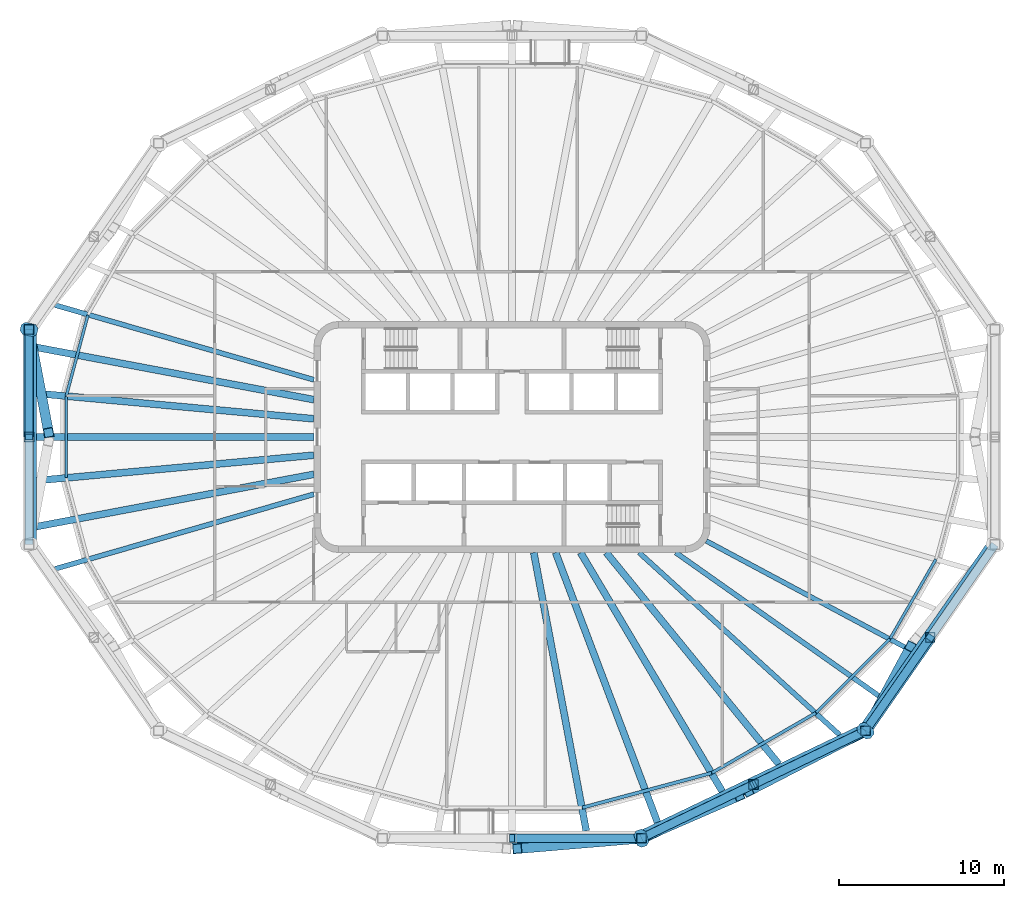
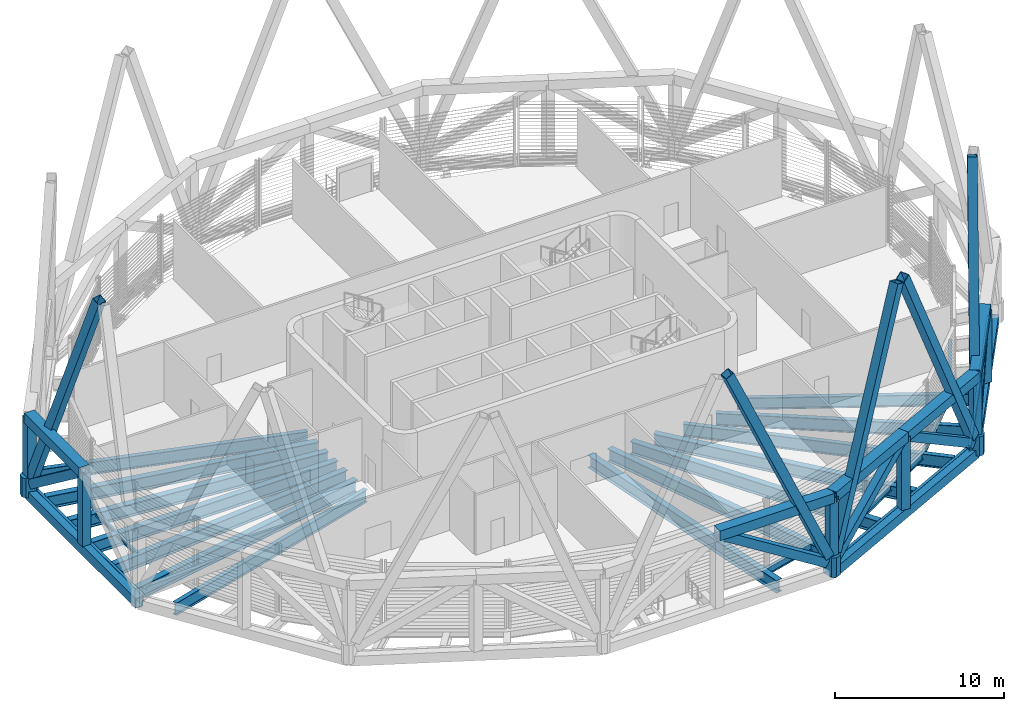
# One storey, part 2 of 16: 26 beams, 24 members.
"""IFC4 building model written with IfcOpenShell, lengths in metres."""

from ifc_helpers import new_model, si_unit, direction, frame, origin, origin_2d, place, context, subcontext, project, spatial, polyline, hollow_rectangle, i_section, outline, extrude, material, material_profile, profile_set, type_object, element, save


model = new_model("IFC4")

# Units and contexts
model_context = context("Model", 3, precision=1e-05, world=origin(), true_north=direction((0.0, 1.0)))
body_context = subcontext(model_context, "Body", "Model", "MODEL_VIEW")
ifc_project = project(units=[si_unit("LENGTHUNIT", "METRE"), si_unit("AREAUNIT", "SQUARE_METRE"), si_unit("VOLUMEUNIT", "CUBIC_METRE"), si_unit("PLANEANGLEUNIT", "RADIAN"), si_unit("MASSUNIT", "GRAM", prefix="KILO")], contexts=[model_context])

# Site, building, storey
site_placement = place(None, origin())
site = spatial("IfcSite", under=ifc_project, at=site_placement, CompositionType="ELEMENT")
building_placement = place(site_placement, origin())
building = spatial("IfcBuilding", under=site, at=building_placement, Name="Sahrelin Media Tower", CompositionType="ELEMENT")
storey_placement = place(building_placement, frame((0.0, 0.0, 299.0)))
storey = spatial("IfcBuildingStorey", under=building, at=storey_placement, Name="L66", CompositionType="ELEMENT", Elevation=299.0)

# Members
ifc_material_1 = material(Name="Steel S460", Category="steel")
ifc_material_profile_1 = material_profile(ifc_material_1, hollow_rectangle(XDim=0.699951171875, YDim=0.699951171875, WallThickness=0.044921875, at=origin_2d()), Name="Belt truss chord BC")
ifc_profile_set_1 = profile_set([ifc_material_profile_1], Name="Steel S460")
member_type_1 = type_object("IfcMemberType", Name="Belt truss chord BC", PredefinedType="CHORD", material=ifc_profile_set_1)
member_1_placement = place(storey_placement, frame((-29.249755859375, 6.511962890625, 4.89990234375), z_axis=(0.0, -1.0, 0.0), x_axis=(1.0, 0.0, 0.0)))
element("IfcMember", 1, at=member_1_placement, inside=storey, type_object=member_type_1, Name="Belt truss member BT15-05-T1", PredefinedType="CHORD", context=body_context, shape_type="SweptSolid", body=[
    extrude(hollow_rectangle(XDim=0.699951171875, YDim=0.699951171875, WallThickness=0.044921875, at=origin_2d()), origin(), (0.0, 0.0, 1.0), 6.511962890625),
])
member_2_placement = place(storey_placement, frame((0.0, -24.30322265625, 4.89990234375), z_axis=(1.0, 0.0, 0.0), x_axis=(0.0, 1.0, 0.0)))
element("IfcMember", 2, at=member_2_placement, inside=storey, type_object=member_type_1, Name="Belt truss member BT15-08-T2", PredefinedType="CHORD", context=body_context, shape_type="SweptSolid", body=[
    extrude(hollow_rectangle(XDim=0.699951171875, YDim=0.699951171875, WallThickness=0.044921875, at=origin_2d()), origin(), (0.0, 0.0, 1.0), 7.83740234375),
])
member_3_placement = place(storey_placement, frame((7.83740234375, -24.30322265625, 4.89990234375), z_axis=(0.901623739504, 0.432521250765, 0.0), x_axis=(-0.432521250765, 0.901623739504, 0.0)))
element("IfcMember", 3, at=member_3_placement, inside=storey, type_object=member_type_1, Name="Belt truss member BT15-09-T1", PredefinedType="CHORD", context=body_context, shape_type="SweptSolid", body=[
    extrude(hollow_rectangle(XDim=0.699951171875, YDim=0.699951171875, WallThickness=0.044921875, at=origin_2d()), origin(), (0.0, 0.0, 1.0), 7.528076171875),
])
member_4_placement = place(storey_placement, frame((14.625, -21.047119140625, 4.89990234375), z_axis=(0.901630319663, 0.432507533651, 0.0), x_axis=(-0.432507533651, 0.901630319663, 0.0)))
element("IfcMember", 4, at=member_4_placement, inside=storey, type_object=member_type_1, Name="Belt truss member BT15-09-T2", PredefinedType="CHORD", context=body_context, shape_type="SweptSolid", body=[
    extrude(hollow_rectangle(XDim=0.699951171875, YDim=0.699951171875, WallThickness=0.044921875, at=origin_2d()), origin(), (0.0, 0.0, 1.0), 7.52783203125),
])
member_5_placement = place(storey_placement, frame((21.412353515625, -17.791259765625, 4.89990234375), z_axis=(0.57061963931, 0.821214483088, 0.0), x_axis=(-0.821214483088, 0.57061963931, 0.0)))
element("IfcMember", 5, at=member_5_placement, inside=storey, type_object=member_type_1, Name="Belt truss member BT15-10-T1", PredefinedType="CHORD", context=body_context, shape_type="SweptSolid", body=[
    extrude(hollow_rectangle(XDim=0.699951171875, YDim=0.699951171875, WallThickness=0.044921875, at=origin_2d()), origin(), (0.0, 0.0, 1.0), 6.867431640625),
])
ifc_material_profile_2 = material_profile(ifc_material_1, hollow_rectangle(XDim=0.5, YDim=0.60009765625, WallThickness=0.030029296875, at=origin_2d()), Name="Belt truss diagonal BD")
ifc_profile_set_2 = profile_set([ifc_material_profile_2], Name="Steel S460")
member_type_2 = type_object("IfcMemberType", Name="Belt truss diagonal BD", PredefinedType="BRACE", material=ifc_profile_set_2)
member_6_placement = place(storey_placement, frame((-29.249755859375, 6.127685546875, 0.2890625), z_axis=(0.0, -0.799055387319, 0.601257422404), x_axis=(1.0, 0.0, 0.0)))
element("IfcMember", 6, at=member_6_placement, inside=storey, type_object=member_type_2, Name="Belt truss member BT15-05-X1", PredefinedType="BRACE", context=body_context, shape_type="SweptSolid", body=[
    extrude(hollow_rectangle(XDim=0.5, YDim=0.60009765625, WallThickness=0.030029296875, at=origin_2d()), origin(), (0.0, 0.0, 1.0), 7.668701171875),
])
member_7_placement = place(storey_placement, frame((7.443359375, -24.30322265625, 0.246337890625), z_axis=(-0.847923297656, 0.0, 0.530118931272), x_axis=(0.0, -1.0, 0.0)))
element("IfcMember", 7, at=member_7_placement, inside=storey, type_object=member_type_2, Name="Belt truss member BT15-08-X2", PredefinedType="BRACE", context=body_context, shape_type="SweptSolid", body=[
    extrude(hollow_rectangle(XDim=0.5, YDim=0.60009765625, WallThickness=0.030029296875, at=origin_2d()), origin(), (0.0, 0.0, 1.0), 8.7783203125),
])
member_8_placement = place(storey_placement, frame((8.1787109375, -24.139404296875, 0.246337890625), z_axis=(0.755659301313, 0.362489801183, 0.545509087347), x_axis=(-0.432511250119, 0.901628536882, 0.0)))
element("IfcMember", 8, at=member_8_placement, inside=storey, type_object=member_type_2, Name="Belt truss member BT15-09-X1", PredefinedType="BRACE", context=body_context, shape_type="SweptSolid", body=[
    extrude(hollow_rectangle(XDim=0.5, YDim=0.60009765625, WallThickness=0.030029296875, at=origin_2d()), origin(), (0.0, 0.0, 1.0), 8.53076171875),
])
member_9_placement = place(storey_placement, frame((21.040283203125, -17.9697265625, 0.2685546875), z_axis=(-0.755651842776, -0.362483977554, 0.545523288711), x_axis=(0.432509071773, -0.901629581832, 0.0)))
element("IfcMember", 9, at=member_9_placement, inside=storey, type_object=member_type_2, Name="Belt truss member BT15-09-X2", PredefinedType="BRACE", context=body_context, shape_type="SweptSolid", body=[
    extrude(hollow_rectangle(XDim=0.5, YDim=0.60009765625, WallThickness=0.030029296875, at=origin_2d()), origin(), (0.0, 0.0, 1.0), 8.48974609375),
])
member_10_placement = place(storey_placement, frame((21.627197265625, -17.482177734375, 0.2685546875), z_axis=(0.464498339308, 0.668502850205, 0.580814283612), x_axis=(-0.8212201551, 0.570611476276, 0.0)))
element("IfcMember", 10, at=member_10_placement, inside=storey, type_object=member_type_2, Name="Belt truss member BT15-10-X1", PredefinedType="BRACE", context=body_context, shape_type="SweptSolid", body=[
    extrude(hollow_rectangle(XDim=0.5, YDim=0.60009765625, WallThickness=0.030029296875, at=origin_2d()), origin(), (0.0, 0.0, 1.0), 7.973876953125),
])
ifc_material_profile_3 = material_profile(ifc_material_1, hollow_rectangle(XDim=0.60009765625, YDim=0.60009765625, WallThickness=0.034912109375, at=origin_2d()), Name="Belt truss post BP")
ifc_profile_set_3 = profile_set([ifc_material_profile_3], Name="Steel S460")
member_type_3 = type_object("IfcMemberType", Name="Belt truss post BP", PredefinedType="POST", material=ifc_profile_set_3)
member_11_placement = place(storey_placement, frame((-29.249755859375, 6.511962890625, 0.699951171875), z_axis=(0.0, 0.0, 1.0), x_axis=(1.0, 0.0, 0.0)))
element("IfcMember", 11, at=member_11_placement, inside=storey, type_object=member_type_3, Name="Belt truss member BT15-05-P0", PredefinedType="POST", context=body_context, shape_type="SweptSolid", body=[
    extrude(hollow_rectangle(XDim=0.60009765625, YDim=0.60009765625, WallThickness=0.034912109375, at=origin_2d()), origin(), (0.0, 0.0, 1.0), 4.199951171875),
])
member_12_placement = place(storey_placement, frame((-29.249755859375, 0.0, -0.320068359375), z_axis=(0.0, 0.0, 1.0), x_axis=(1.0, 0.0, 0.0)))
element("IfcMember", 12, at=member_12_placement, inside=storey, type_object=member_type_3, Name="Belt truss member BT15-05-P1", PredefinedType="POST", context=body_context, shape_type="SweptSolid", body=[
    extrude(hollow_rectangle(XDim=0.60009765625, YDim=0.60009765625, WallThickness=0.034912109375, at=origin_2d()), origin(), (0.0, 0.0, 1.0), 5.219970703125),
])
member_13_placement = place(storey_placement, frame((7.83740234375, -24.30322265625, 0.699951171875), z_axis=(0.0, 0.0, 1.0), x_axis=(1.0, 0.0, 0.0)))
element("IfcMember", 13, at=member_13_placement, inside=storey, type_object=member_type_3, Name="Belt truss member BT15-09-P0", PredefinedType="POST", context=body_context, shape_type="SweptSolid", body=[
    extrude(hollow_rectangle(XDim=0.60009765625, YDim=0.60009765625, WallThickness=0.034912109375, at=origin_2d()), origin(), (0.0, 0.0, 1.0), 4.199951171875),
])
member_14_placement = place(storey_placement, frame((14.625, -21.047119140625, -0.320068359375), z_axis=(0.0, 0.0, 1.0), x_axis=(1.0, 0.0, 0.0)))
element("IfcMember", 14, at=member_14_placement, inside=storey, type_object=member_type_3, Name="Belt truss member BT15-09-P1", PredefinedType="POST", context=body_context, shape_type="SweptSolid", body=[
    extrude(hollow_rectangle(XDim=0.60009765625, YDim=0.60009765625, WallThickness=0.034912109375, at=origin_2d()), origin(), (0.0, 0.0, 1.0), 5.219970703125),
])
member_15_placement = place(storey_placement, frame((21.412353515625, -17.791259765625, 0.699951171875), z_axis=(0.0, 0.0, 1.0), x_axis=(1.0, 0.0, 0.0)))
element("IfcMember", 15, at=member_15_placement, inside=storey, type_object=member_type_3, Name="Belt truss member BT15-10-P0", PredefinedType="POST", context=body_context, shape_type="SweptSolid", body=[
    extrude(hollow_rectangle(XDim=0.60009765625, YDim=0.60009765625, WallThickness=0.034912109375, at=origin_2d()), origin(), (0.0, 0.0, 1.0), 4.199951171875),
])
member_16_placement = place(storey_placement, frame((25.3310546875, -12.151611328125, -0.320068359375), z_axis=(0.0, 0.0, 1.0), x_axis=(1.0, 0.0, 0.0)))
element("IfcMember", 16, at=member_16_placement, inside=storey, type_object=member_type_3, Name="Belt truss member BT15-10-P1", PredefinedType="POST", context=body_context, shape_type="SweptSolid", body=[
    extrude(hollow_rectangle(XDim=0.60009765625, YDim=0.60009765625, WallThickness=0.034912109375, at=origin_2d()), origin(), (0.0, 0.0, 1.0), 5.219970703125),
])
ifc_material_profile_4 = material_profile(ifc_material_1, hollow_rectangle(XDim=0.60009765625, YDim=0.60009765625, WallThickness=0.030029296875, at=origin_2d()), Name="Diagrid diagonal DG9")
ifc_profile_set_4 = profile_set([ifc_material_profile_4], Name="Steel S460")
member_type_4 = type_object("IfcMemberType", Name="Diagrid diagonal DG9", PredefinedType="BRACE", material=ifc_profile_set_4)
member_17_placement = place(storey_placement, frame((-29.2001953125, 6.25, 0.699951171875), z_axis=(0.066220612118, -0.349740084714, 0.934503453003), x_axis=(0.982542746924, 0.186036959951, 0.0)))
element("IfcMember", 17, at=member_17_placement, inside=storey, type_object=member_type_4, Name="Diagrid diagonal D15-11", PredefinedType="BRACE", context=body_context, shape_type="SweptSolid", body=[
    extrude(hollow_rectangle(XDim=0.60009765625, YDim=0.60009765625, WallThickness=0.030029296875, at=origin_2d()), origin(), (0.0, 0.0, 1.0), 17.121337890625),
])
member_18_placement = place(storey_placement, frame((7.522216796875, -24.32958984375, 0.699951171875), z_axis=(-0.410453220664, -0.034510328377, 0.911228396661), x_axis=(0.083782972623, -0.996484025712, 0.0)))
element("IfcMember", 18, at=member_18_placement, inside=storey, type_object=member_type_4, Name="Diagrid diagonal D15-18", PredefinedType="BRACE", context=body_context, shape_type="SweptSolid", body=[
    extrude(hollow_rectangle(XDim=0.60009765625, YDim=0.60009765625, WallThickness=0.030029296875, at=origin_2d()), origin(), (0.0, 0.0, 1.0), 17.55859375),
])
member_19_placement = place(storey_placement, frame((8.085693359375, -24.1953125, 0.699951171875), z_axis=(0.330766268766, 0.14395064145, 0.932669227686), x_axis=(-0.39905066652, 0.91692887704, 0.0)))
element("IfcMember", 19, at=member_19_placement, inside=storey, type_object=member_type_4, Name="Diagrid diagonal D15-19", PredefinedType="BRACE", context=body_context, shape_type="SweptSolid", body=[
    extrude(hollow_rectangle(XDim=0.60009765625, YDim=0.60009765625, WallThickness=0.030029296875, at=origin_2d()), origin(), (0.0, 0.0, 1.0), 17.155029296875),
])
member_20_placement = place(storey_placement, frame((21.114501953125, -17.945068359375, 0.699951171875), z_axis=(-0.38375642094, -0.198346169942, 0.901881259511), x_axis=(0.459151636747, -0.888357908994, 0.0)))
element("IfcMember", 20, at=member_20_placement, inside=storey, type_object=member_type_4, Name="Diagrid diagonal D15-20", PredefinedType="BRACE", context=body_context, shape_type="SweptSolid", body=[
    extrude(hollow_rectangle(XDim=0.60009765625, YDim=0.60009765625, WallThickness=0.030029296875, at=origin_2d()), origin(), (0.0, 0.0, 1.0), 17.74072265625),
])
member_21_placement = place(storey_placement, frame((21.527099609375, -17.57763671875, 0.699951171875), z_axis=(0.154809391021, 0.288380611885, 0.944918343107), x_axis=(-0.88107296404, 0.472980371726, 0.0)))
element("IfcMember", 21, at=member_21_placement, inside=storey, type_object=member_type_4, Name="Diagrid diagonal D15-21", PredefinedType="BRACE", context=body_context, shape_type="SweptSolid", body=[
    extrude(hollow_rectangle(XDim=0.60009765625, YDim=0.60009765625, WallThickness=0.030029296875, at=origin_2d()), origin(), (0.0, 0.0, 1.0), 16.9326171875),
])
ifc_material_profile_5 = material_profile(ifc_material_1, outline(polyline([(0.324951171875, -0.375), (0.52490234375, -0.175048828125), (0.52490234375, 0.175048828125), (0.324951171875, 0.375), (-0.324951171875, 0.375), (-0.52490234375, 0.175048828125), (-0.52490234375, -0.175048828125), (-0.324951171875, -0.375), (0.324951171875, -0.375)])), Name="Diagrid node block 1050")
ifc_profile_set_5 = profile_set([ifc_material_profile_5], Name="Steel S460")
member_type_5 = type_object("IfcMemberType", Name="Diagrid node block 1050", PredefinedType="USERDEFINED", material=ifc_profile_set_5)
for number, where, z_axis, x_axis, name in (
    (22, (-29.249755859375, 6.511962890625, -0.699951171875), (0.0, 0.0, 1.0), (-0.976101825764, 0.21731365751, 0.0), "Diagrid node N15-05"),
    (23, (7.83740234375, -24.30322265625, -0.699951171875), (0.0, 0.0, 1.0), (0.306919783056, -0.951735386948, 0.0), "Diagrid node N15-09"),
    (24, (21.412353515625, -17.791259765625, -0.699951171875), (0.0, 0.0, 1.0), (0.769146421413, -0.639072595585, 0.0), "Diagrid node N15-10"),
):
    element("IfcMember", number, at=place(storey_placement, frame(where, z_axis=z_axis, x_axis=x_axis)), inside=storey, type_object=member_type_5, Name=name, ObjectType="NODE", PredefinedType="USERDEFINED", context=body_context, shape_type="SweptSolid", body=[
        extrude(outline(polyline([(0.324951171875, -0.375), (0.52490234375, -0.175048828125), (0.52490234375, 0.175048828125), (0.324951171875, 0.375), (-0.324951171875, 0.375), (-0.52490234375, 0.175048828125), (-0.52490234375, -0.175048828125), (-0.324951171875, -0.375), (0.324951171875, -0.375)])), origin(), (0.0, 0.0, 1.0), 1.39990234375),
    ])

# Beams
ifc_material_profile_6 = material_profile(ifc_material_1, hollow_rectangle(XDim=0.5, YDim=0.699951171875, WallThickness=0.034912109375, at=origin_2d()), Name="Diagrid ring beam RB2")
ifc_profile_set_6 = profile_set([ifc_material_profile_6], Name="Steel S460")
beam_type_1 = type_object("IfcBeamType", Name="Diagrid ring beam RB2", PredefinedType="BEAM", material=ifc_profile_set_6)
beam_1_placement = place(storey_placement, frame((-29.249755859375, 6.511962890625, -0.64990234375), z_axis=(0.0, -1.0, 0.0), x_axis=(1.0, 0.0, 0.0)))
element("IfcBeam", 25, at=beam_1_placement, inside=storey, type_object=beam_type_1, Name="Diagrid ring beam RB15-05", PredefinedType="BEAM", context=body_context, shape_type="SweptSolid", body=[
    extrude(hollow_rectangle(XDim=0.5, YDim=0.699951171875, WallThickness=0.034912109375, at=origin_2d()), origin(), (0.0, 0.0, 1.0), 13.02392578125),
])
beam_2_placement = place(storey_placement, frame((7.83740234375, -24.30322265625, -0.64990234375), z_axis=(0.901627029538, 0.432514392369, 0.0), x_axis=(-0.432514392369, 0.901627029538, 0.0)))
element("IfcBeam", 26, at=beam_2_placement, inside=storey, type_object=beam_type_1, Name="Diagrid ring beam RB15-09", PredefinedType="BEAM", context=body_context, shape_type="SweptSolid", body=[
    extrude(hollow_rectangle(XDim=0.5, YDim=0.699951171875, WallThickness=0.034912109375, at=origin_2d()), origin(), (0.0, 0.0, 1.0), 15.05615234375),
])
beam_3_placement = place(storey_placement, frame((21.412353515625, -17.791259765625, -0.64990234375), z_axis=(0.57061963931, 0.821214483088, 0.0), x_axis=(-0.821214483088, 0.57061963931, 0.0)))
element("IfcBeam", 27, at=beam_3_placement, inside=storey, type_object=beam_type_1, Name="Diagrid ring beam RB15-10", PredefinedType="BEAM", context=body_context, shape_type="SweptSolid", body=[
    extrude(hollow_rectangle(XDim=0.5, YDim=0.699951171875, WallThickness=0.034912109375, at=origin_2d()), origin(), (0.0, 0.0, 1.0), 13.73486328125),
])
ifc_material_2 = material(Name="Steel S355", Category="steel")
ifc_material_profile_7 = material_profile(ifc_material_2, i_section(OverallWidth=0.1650390625, OverallDepth=0.303466796875, WebThickness=0.006103515625, FlangeThickness=0.01025390625, FilletRadius=0.0087890625, at=origin_2d()), Name="UB 305x165x40")
ifc_profile_set_7 = profile_set([ifc_material_profile_7], Name="Steel S355")
beam_type_2 = type_object("IfcBeamType", Name="Edge beam EB2", PredefinedType="BEAM", material=ifc_profile_set_7)
beam_4_placement = place(storey_placement, frame((-27.00244140625, -2.456298828125, -0.45166015625), z_axis=(0.0, 1.0, 0.0), x_axis=(-1.0, 0.0, 0.0)))
element("IfcBeam", 28, at=beam_4_placement, inside=storey, type_object=beam_type_2, Name="Edge beam L66-13", PredefinedType="BEAM", context=body_context, shape_type="SweptSolid", body=[
    extrude(i_section(OverallWidth=0.1650390625, OverallDepth=0.303466796875, WebThickness=0.006103515625, FlangeThickness=0.01025390625, FilletRadius=0.0087890625, at=origin_2d()), origin(), (0.0, 0.0, 1.0), 4.91259765625),
])
ifc_material_profile_8 = material_profile(ifc_material_2, i_section(OverallWidth=0.17138671875, OverallDepth=0.35498046875, WebThickness=0.00732421875, FlangeThickness=0.011474609375, FilletRadius=0.01025390625, at=origin_2d()), Name="UB 356x171x51")
ifc_profile_set_8 = profile_set([ifc_material_profile_8], Name="Steel S355")
beam_type_3 = type_object("IfcBeamType", Name="Edge beam EB3", PredefinedType="BEAM", material=ifc_profile_set_8)
beam_5_placement = place(storey_placement, frame((25.67529296875, -7.408935546875, -0.4775390625), z_axis=(-0.499971556956, -0.866041824761, 0.0), x_axis=(0.866041824761, -0.499971556956, 0.0)))
element("IfcBeam", 29, at=beam_5_placement, inside=storey, type_object=beam_type_3, Name="Edge beam L66-03", PredefinedType="BEAM", context=body_context, shape_type="SweptSolid", body=[
    extrude(i_section(OverallWidth=0.17138671875, OverallDepth=0.35498046875, WebThickness=0.00732421875, FlangeThickness=0.011474609375, FilletRadius=0.01025390625, at=origin_2d()), origin(), (0.0, 0.0, 1.0), 5.542724609375),
])
beam_6_placement = place(storey_placement, frame((-26.99853515625, 2.485107421875, -0.4775390625), z_axis=(0.258828351964, 0.965923332475, 0.0), x_axis=(-0.965923332475, 0.258828351964, 0.0)))
element("IfcBeam", 30, at=beam_6_placement, inside=storey, type_object=beam_type_3, Name="Edge beam L66-14", PredefinedType="BEAM", context=body_context, shape_type="SweptSolid", body=[
    extrude(i_section(OverallWidth=0.17138671875, OverallDepth=0.35498046875, WebThickness=0.00732421875, FlangeThickness=0.011474609375, FilletRadius=0.01025390625, at=origin_2d()), origin(), (0.0, 0.0, 1.0), 5.070068359375),
])
ifc_material_profile_9 = material_profile(ifc_material_2, i_section(OverallWidth=0.177978515625, OverallDepth=0.406494140625, WebThickness=0.0078125, FlangeThickness=0.0126953125, FilletRadius=0.01025390625, at=origin_2d()), Name="UB 406x178x60")
ifc_profile_set_9 = profile_set([ifc_material_profile_9], Name="Steel S355")
beam_type_4 = type_object("IfcBeamType", Name="Edge beam EB4", PredefinedType="BEAM", material=ifc_profile_set_9)
beam_7_placement = place(storey_placement, frame((22.886474609375, -12.232177734375, -0.503173828125), z_axis=(-0.707126124563, -0.707087437281, 0.0), x_axis=(0.707087437281, -0.707126124563, 0.0)))
element("IfcBeam", 31, at=beam_7_placement, inside=storey, type_object=beam_type_4, Name="Edge beam L66-04", PredefinedType="BEAM", context=body_context, shape_type="SweptSolid", body=[
    extrude(i_section(OverallWidth=0.177978515625, OverallDepth=0.406494140625, WebThickness=0.0078125, FlangeThickness=0.0126953125, FilletRadius=0.01025390625, at=origin_2d()), origin(), (0.0, 0.0, 1.0), 6.310546875),
])
ifc_material_profile_10 = material_profile(ifc_material_2, i_section(OverallWidth=0.1904296875, OverallDepth=0.45703125, WebThickness=0.009033203125, FlangeThickness=0.014404296875, FilletRadius=0.01025390625, at=origin_2d()), Name="UB 457x191x74")
ifc_profile_set_10 = profile_set([ifc_material_profile_10], Name="Steel S355")
beam_type_5 = type_object("IfcBeamType", Name="Edge beam EB5", PredefinedType="BEAM", material=ifc_profile_set_10)
beam_8_placement = place(storey_placement, frame((18.401123046875, -16.7119140625, -0.528564453125), z_axis=(-0.866020397698, -0.500008670696, 0.0), x_axis=(0.500008670696, -0.866020397698, 0.0)))
element("IfcBeam", 32, at=beam_8_placement, inside=storey, type_object=beam_type_5, Name="Edge beam L66-05", PredefinedType="BEAM", context=body_context, shape_type="SweptSolid", body=[
    extrude(i_section(OverallWidth=0.1904296875, OverallDepth=0.45703125, WebThickness=0.009033203125, FlangeThickness=0.014404296875, FilletRadius=0.01025390625, at=origin_2d()), origin(), (0.0, 0.0, 1.0), 7.260498046875),
])
ifc_material_profile_11 = material_profile(ifc_material_2, i_section(OverallWidth=0.208740234375, OverallDepth=0.5283203125, WebThickness=0.009521484375, FlangeThickness=0.01318359375, FilletRadius=0.0126953125, at=origin_2d()), Name="UB 533x210x82")
ifc_profile_set_11 = profile_set([ifc_material_profile_11], Name="Steel S355")
beam_type_6 = type_object("IfcBeamType", Name="Edge beam EB6", PredefinedType="BEAM", material=ifc_profile_set_11)
beam_9_placement = place(storey_placement, frame((12.086669921875, -20.353515625, -0.564208984375), z_axis=(-0.9659348785, -0.25878525943, 0.0), x_axis=(0.25878525943, -0.9659348785, 0.0)))
element("IfcBeam", 33, at=beam_9_placement, inside=storey, type_object=beam_type_6, Name="Edge beam L66-06", PredefinedType="BEAM", context=body_context, shape_type="SweptSolid", body=[
    extrude(i_section(OverallWidth=0.208740234375, OverallDepth=0.5283203125, WebThickness=0.009521484375, FlangeThickness=0.01318359375, FilletRadius=0.0126953125, at=origin_2d()), origin(), (0.0, 0.0, 1.0), 8.106689453125),
])
ifc_material_profile_12 = material_profile(ifc_material_2, i_section(OverallWidth=0.291748046875, OverallDepth=0.8349609375, WebThickness=0.013916015625, FlangeThickness=0.018798828125, FilletRadius=0.017822265625, at=origin_2d()), Name="UB 838x292x176")
ifc_profile_set_12 = profile_set([ifc_material_profile_12], Name="Steel S355")
beam_type_7 = type_object("IfcBeamType", Name="Radial primary beam PB10", PredefinedType="BEAM", material=ifc_profile_set_12)
beam_10_placement = place(storey_placement, frame((11.76513671875, -6.294189453125, -0.71728515625), z_axis=(0.881741530258, -0.471732841573, 0.0), x_axis=(0.471732841573, 0.881741530258, 0.0)))
element("IfcBeam", 34, at=beam_10_placement, inside=storey, type_object=beam_type_7, Name="Radial beam L66-22", PredefinedType="BEAM", context=body_context, shape_type="SweptSolid", body=[
    extrude(i_section(OverallWidth=0.291748046875, OverallDepth=0.8349609375, WebThickness=0.013916015625, FlangeThickness=0.018798828125, FilletRadius=0.017822265625, at=origin_2d()), origin(), (0.0, 0.0, 1.0), 14.132568359375),
])
ifc_material_profile_13 = material_profile(ifc_material_2, i_section(OverallWidth=0.30322265625, OverallDepth=0.903076171875, WebThickness=0.01513671875, FlangeThickness=0.020263671875, FilletRadius=0.01904296875, at=origin_2d()), Name="UB 914x305x201")
ifc_profile_set_13 = profile_set([ifc_material_profile_13], Name="Steel S355")
beam_type_8 = type_object("IfcBeamType", Name="Radial primary beam PB11", PredefinedType="BEAM", material=ifc_profile_set_13)
for number, where, z_axis, x_axis, name in (
    (35, (-12.0, 3.464111328125, -0.75146484375), (-0.960769562695, 0.277347881547, 0.0), (-0.277347881547, -0.960769562695, 0.0), "Radial beam L66-11"),
    (36, (-12.0, -3.464111328125, -0.75146484375), (-0.960769562695, -0.277347881547, 0.0), (0.277347881547, -0.960769562695, 0.0), "Radial beam L66-14"),
):
    element("IfcBeam", number, at=place(storey_placement, frame(where, z_axis=z_axis, x_axis=x_axis)), inside=storey, type_object=beam_type_8, Name=name, PredefinedType="BEAM", context=body_context, shape_type="SweptSolid", body=[
        extrude(i_section(OverallWidth=0.30322265625, OverallDepth=0.903076171875, WebThickness=0.01513671875, FlangeThickness=0.020263671875, FilletRadius=0.01904296875, at=origin_2d()), origin(), (0.0, 0.0, 1.0), 16.320068359375),
    ])
beam_11_placement = place(storey_placement, frame((7.699462890625, -7.0, -0.75146484375), z_axis=(0.739921909671, -0.672692773552, 0.0), x_axis=(0.672692773552, 0.739921909671, 0.0)))
element("IfcBeam", 37, at=beam_11_placement, inside=storey, type_object=beam_type_8, Name="Radial beam L66-21", PredefinedType="BEAM", context=body_context, shape_type="SweptSolid", body=[
    extrude(i_section(OverallWidth=0.30322265625, OverallDepth=0.903076171875, WebThickness=0.01513671875, FlangeThickness=0.020263671875, FilletRadius=0.01904296875, at=origin_2d()), origin(), (0.0, 0.0, 1.0), 16.421630859375),
])
ifc_material_profile_14 = material_profile(ifc_material_2, i_section(OverallWidth=0.41845703125, OverallDepth=0.911865234375, WebThickness=0.019287109375, FlangeThickness=0.031982421875, FilletRadius=0.024169921875, at=origin_2d()), Name="UB 914x419x343")
ifc_profile_set_14 = profile_set([ifc_material_profile_14], Name="Steel S355")
beam_type_9 = type_object("IfcBeamType", Name="Radial primary beam PB12", PredefinedType="BEAM", material=ifc_profile_set_14)
for number, where, z_axis, x_axis, name in (
    (38, (-12.0, 1.100830078125, -0.755859375), (-0.995820190558, 0.091335360497, 0.0), (-0.091335360497, -0.995820190558, 0.0), "Radial beam L66-12"),
    (39, (-12.0, -1.100830078125, -0.755859375), (-0.995820190558, -0.091335360497, 0.0), (0.091335360497, -0.995820190558, 0.0), "Radial beam L66-13"),
):
    element("IfcBeam", number, at=place(storey_placement, frame(where, z_axis=z_axis, x_axis=x_axis)), inside=storey, type_object=beam_type_9, Name=name, PredefinedType="BEAM", context=body_context, shape_type="SweptSolid", body=[
        extrude(i_section(OverallWidth=0.41845703125, OverallDepth=0.911865234375, WebThickness=0.019287109375, FlangeThickness=0.031982421875, FilletRadius=0.024169921875, at=origin_2d()), origin(), (0.0, 0.0, 1.0), 16.874755859375),
    ])
beam_12_placement = place(storey_placement, frame((1.319580078125, -7.0, -0.755859375), z_axis=(0.18526628542, -0.982688355221, 0.0), x_axis=(0.982688355221, 0.18526628542, 0.0)))
element("IfcBeam", 40, at=beam_12_placement, inside=storey, type_object=beam_type_9, Name="Radial beam L66-19", PredefinedType="BEAM", context=body_context, shape_type="SweptSolid", body=[
    extrude(i_section(OverallWidth=0.41845703125, OverallDepth=0.911865234375, WebThickness=0.019287109375, FlangeThickness=0.031982421875, FilletRadius=0.024169921875, at=origin_2d()), origin(), (0.0, 0.0, 1.0), 17.15478515625),
])
beam_13_placement = place(storey_placement, frame((4.15380859375, -7.0, -0.755859375), z_axis=(0.510328059934, -0.859979808626, 0.0), x_axis=(0.859979808626, 0.510328059934, 0.0)))
element("IfcBeam", 41, at=beam_13_placement, inside=storey, type_object=beam_type_9, Name="Radial beam L66-20", PredefinedType="BEAM", context=body_context, shape_type="SweptSolid", body=[
    extrude(i_section(OverallWidth=0.41845703125, OverallDepth=0.911865234375, WebThickness=0.019287109375, FlangeThickness=0.031982421875, FilletRadius=0.024169921875, at=origin_2d()), origin(), (0.0, 0.0, 1.0), 16.814208984375),
])
ifc_material_profile_15 = material_profile(ifc_material_2, i_section(OverallWidth=0.30322265625, OverallDepth=0.903076171875, WebThickness=0.01513671875, FlangeThickness=0.020263671875, FilletRadius=0.01904296875, at=origin_2d()), Name="UB 914x305x201")
ifc_profile_set_15 = profile_set([ifc_material_profile_15], Name="Steel S355")
beam_type_10 = type_object("IfcBeamType", Name="Radial secondary beam SB11", PredefinedType="BEAM", material=ifc_profile_set_15)
beam_14_placement = place(storey_placement, frame((9.9189453125, -7.0, -0.75146484375), z_axis=(0.817034395739, -0.576588931717, 0.0), x_axis=(0.576588931717, 0.817034395739, 0.0)))
element("IfcBeam", 42, at=beam_14_placement, inside=storey, type_object=beam_type_10, Name="Secondary beam L66-21", PredefinedType="BEAM", context=body_context, shape_type="SweptSolid", body=[
    extrude(i_section(OverallWidth=0.30322265625, OverallDepth=0.903076171875, WebThickness=0.01513671875, FlangeThickness=0.020263671875, FilletRadius=0.01904296875, at=origin_2d()), origin(), (0.0, 0.0, 1.0), 15.1513671875),
])
ifc_material_profile_16 = material_profile(ifc_material_2, i_section(OverallWidth=0.41845703125, OverallDepth=0.911865234375, WebThickness=0.019287109375, FlangeThickness=0.031982421875, FilletRadius=0.024169921875, at=origin_2d()), Name="UB 914x419x343")
ifc_profile_set_16 = profile_set([ifc_material_profile_16], Name="Steel S355")
beam_type_11 = type_object("IfcBeamType", Name="Radial secondary beam SB12", PredefinedType="BEAM", material=ifc_profile_set_16)
beam_15_placement = place(storey_placement, frame((-12.0, 2.26123046875, -0.755859375), z_axis=(-0.982702709221, 0.18519013281, 0.0), x_axis=(-0.18519013281, -0.982702709221, 0.0)))
element("IfcBeam", 43, at=beam_15_placement, inside=storey, type_object=beam_type_11, Name="Secondary beam L66-11", PredefinedType="BEAM", context=body_context, shape_type="SweptSolid", body=[
    extrude(i_section(OverallWidth=0.41845703125, OverallDepth=0.911865234375, WebThickness=0.019287109375, FlangeThickness=0.031982421875, FilletRadius=0.024169921875, at=origin_2d()), origin(), (0.0, 0.0, 1.0), 17.10009765625),
])
beam_16_placement = place(storey_placement, frame((-12.0, 0.0, -0.755859375), z_axis=(-1.0, 0.0, 0.0), x_axis=(0.0, -1.0, 0.0)))
element("IfcBeam", 44, at=beam_16_placement, inside=storey, type_object=beam_type_11, Name="Secondary beam L66-12", PredefinedType="BEAM", context=body_context, shape_type="SweptSolid", body=[
    extrude(i_section(OverallWidth=0.41845703125, OverallDepth=0.911865234375, WebThickness=0.019287109375, FlangeThickness=0.031982421875, FilletRadius=0.024169921875, at=origin_2d()), origin(), (0.0, 0.0, 1.0), 16.80419921875),
])
beam_17_placement = place(storey_placement, frame((-12.0, -2.26123046875, -0.755859375), z_axis=(-0.982702709221, -0.18519013281, 0.0), x_axis=(0.18519013281, -0.982702709221, 0.0)))
element("IfcBeam", 45, at=beam_17_placement, inside=storey, type_object=beam_type_11, Name="Secondary beam L66-13", PredefinedType="BEAM", context=body_context, shape_type="SweptSolid", body=[
    extrude(i_section(OverallWidth=0.41845703125, OverallDepth=0.911865234375, WebThickness=0.019287109375, FlangeThickness=0.031982421875, FilletRadius=0.024169921875, at=origin_2d()), origin(), (0.0, 0.0, 1.0), 17.10009765625),
])
beam_18_placement = place(storey_placement, frame((2.642333984375, -7.0, -0.755859375), z_axis=(0.353164360149, -0.935561293941, 0.0), x_axis=(0.935561293941, 0.353164360149, 0.0)))
element("IfcBeam", 46, at=beam_18_placement, inside=storey, type_object=beam_type_11, Name="Secondary beam L66-19", PredefinedType="BEAM", context=body_context, shape_type="SweptSolid", body=[
    extrude(i_section(OverallWidth=0.41845703125, OverallDepth=0.911865234375, WebThickness=0.019287109375, FlangeThickness=0.031982421875, FilletRadius=0.024169921875, at=origin_2d()), origin(), (0.0, 0.0, 1.0), 17.467529296875),
])
beam_19_placement = place(storey_placement, frame((5.7099609375, -7.0, -0.755859375), z_axis=(0.632094771487, -0.774891089031, 0.0), x_axis=(0.774891089031, 0.632094771487, 0.0)))
element("IfcBeam", 47, at=beam_19_placement, inside=storey, type_object=beam_type_11, Name="Secondary beam L66-20", PredefinedType="BEAM", context=body_context, shape_type="SweptSolid", body=[
    extrude(i_section(OverallWidth=0.41845703125, OverallDepth=0.911865234375, WebThickness=0.019287109375, FlangeThickness=0.031982421875, FilletRadius=0.024169921875, at=origin_2d()), origin(), (0.0, 0.0, 1.0), 16.5380859375),
])
ifc_material_profile_17 = material_profile(ifc_material_2, i_section(OverallWidth=0.1904296875, OverallDepth=0.45703125, WebThickness=0.009033203125, FlangeThickness=0.014404296875, FilletRadius=0.01025390625, at=origin_2d()), Name="UB 457x191x74")
ifc_profile_set_17 = profile_set([ifc_material_profile_17], Name="Steel S355")
beam_type_12 = type_object("IfcBeamType", Name="Tie chord TC5", PredefinedType="BEAM", material=ifc_profile_set_17)
beam_20_placement = place(storey_placement, frame((28.8994140625, -6.40234375, -0.528564453125), z_axis=(-0.57062197312, -0.821212861439, 0.0), x_axis=(0.821212861439, -0.57062197312, 0.0)))
element("IfcBeam", 48, at=beam_20_placement, inside=storey, type_object=beam_type_12, Name="Tie chord L66-02", PredefinedType="BEAM", context=body_context, shape_type="SweptSolid", body=[
    extrude(i_section(OverallWidth=0.1904296875, OverallDepth=0.45703125, WebThickness=0.009033203125, FlangeThickness=0.014404296875, FilletRadius=0.01025390625, at=origin_2d()), origin(), (0.0, 0.0, 1.0), 13.532470703125),
])
beam_21_placement = place(storey_placement, frame((21.177490234375, -17.515380859375, -0.528564453125), z_axis=(-0.901626441331, -0.432515618553, 0.0), x_axis=(0.432515618553, -0.901626441331, 0.0)))
element("IfcBeam", 49, at=beam_21_placement, inside=storey, type_object=beam_type_12, Name="Tie chord L66-03", PredefinedType="BEAM", context=body_context, shape_type="SweptSolid", body=[
    extrude(i_section(OverallWidth=0.1904296875, OverallDepth=0.45703125, WebThickness=0.009033203125, FlangeThickness=0.014404296875, FilletRadius=0.01025390625, at=origin_2d()), origin(), (0.0, 0.0, 1.0), 14.8837890625),
])
beam_22_placement = place(storey_placement, frame((-28.8994140625, -6.40234375, -0.528564453125), z_axis=(0.0, 1.0, 0.0), x_axis=(-1.0, 0.0, 0.0)))
element("IfcBeam", 50, at=beam_22_placement, inside=storey, type_object=beam_type_12, Name="Tie chord L66-07", PredefinedType="BEAM", context=body_context, shape_type="SweptSolid", body=[
    extrude(i_section(OverallWidth=0.1904296875, OverallDepth=0.45703125, WebThickness=0.009033203125, FlangeThickness=0.014404296875, FilletRadius=0.01025390625, at=origin_2d()), origin(), (0.0, 0.0, 1.0), 12.8046875),
])

save(model, "model.ifc")
